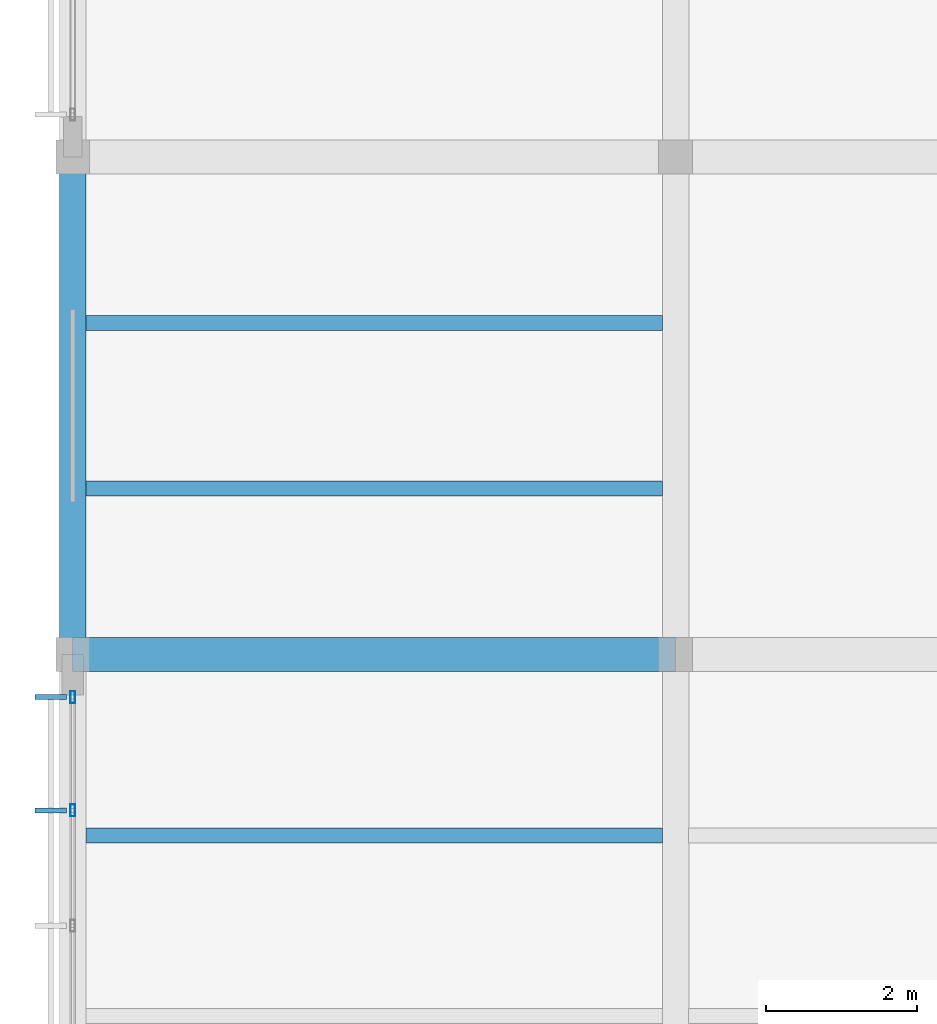
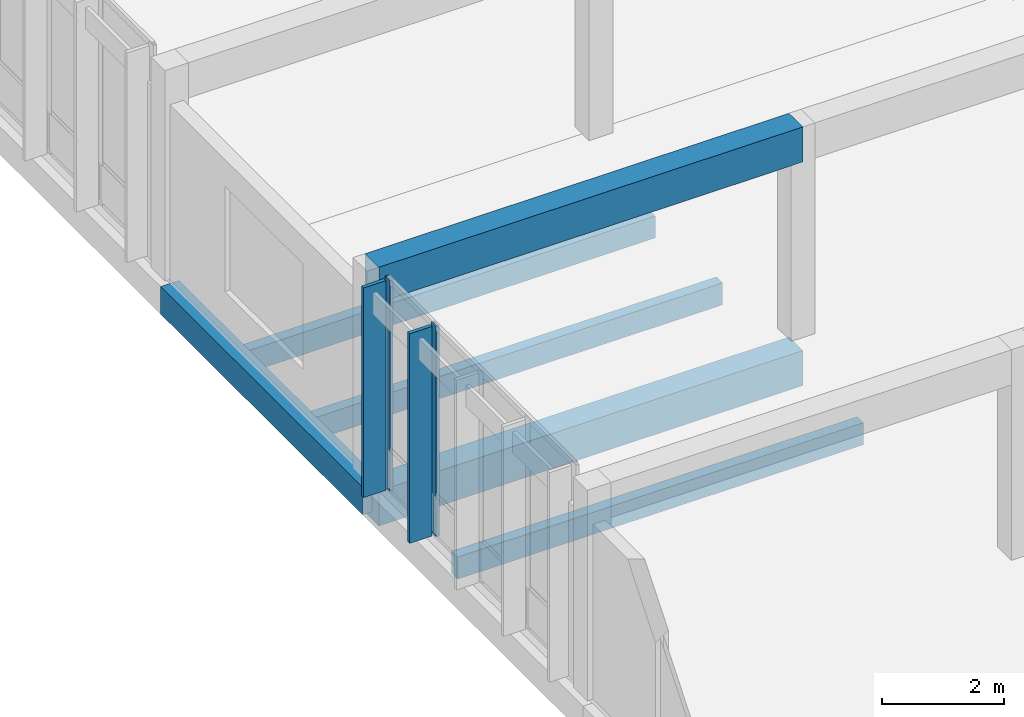
# One storey, part 9 of 107: 6 beams, 4 members, 1 element without a shape of its own.
"""IFC4 building model written with IfcOpenShell, lengths in metres."""

from ifc_helpers import new_model, si_unit, direction, frame, origin, origin_2d, place, context, subcontext, project, spatial, rectangle, hollow_rectangle, extrude, material, material_profile, profile_set, type_object, element, aggregate, save


model = new_model("IFC4")

# Units and contexts
model_context = context("Model", 3, precision=1e-05, world=origin(), true_north=direction((0.0, 1.0)))
body_context = subcontext(model_context, "Body", "Model", "MODEL_VIEW")
ifc_project = project(units=[si_unit("LENGTHUNIT", "METRE"), si_unit("AREAUNIT", "SQUARE_METRE"), si_unit("VOLUMEUNIT", "CUBIC_METRE"), si_unit("PLANEANGLEUNIT", "RADIAN"), si_unit("MASSUNIT", "GRAM", prefix="KILO")], contexts=[model_context])

# Site, building, storey
site_placement = place(None, origin())
site = spatial("IfcSite", under=ifc_project, at=site_placement, CompositionType="ELEMENT")
building_placement = place(site_placement, origin())
building = spatial("IfcBuilding", under=site, at=building_placement, Name="Chiffa Square Polytechnic", CompositionType="ELEMENT")
storey_placement = place(building_placement, frame((0.0, 0.0, 13.800048828125)))
storey = spatial("IfcBuildingStorey", under=building, at=storey_placement, Name="L03", CompositionType="ELEMENT", Elevation=13.800048828125)

# Beams
ifc_material_1 = material(Name="Concrete C35/45", Category="concrete")
ifc_material_profile_1 = material_profile(ifc_material_1, rectangle(XDim=0.35009765625, YDim=0.550048828125, at=origin_2d()), Name="RC 350x550")
ifc_profile_set_1 = profile_set([ifc_material_profile_1], Name="Concrete C35/45")
beam_type_1 = type_object("IfcBeamType", Name="BM-RC-350X550", PredefinedType="BEAM", material=ifc_profile_set_1)
beam_placement = place(storey_placement, frame((0.0, 51.0, -0.53515625), z_axis=(0.0, 1.0, 0.0), x_axis=(-1.0, 0.0, 0.0)))
element("IfcBeam", 1, at=beam_placement, inside=storey, type_object=beam_type_1, Name="Primary floor girder BM-V6-L03-Y-0000-0510", PredefinedType="BEAM", context=body_context, shape_type="SweptSolid", body=[
    extrude(rectangle(XDim=0.35009765625, YDim=0.550048828125, at=origin_2d()), origin(), (0.0, 0.0, 1.0), 6.60009765625),
])
ifc_material_profile_2 = material_profile(ifc_material_1, rectangle(XDim=0.449951171875, YDim=0.699951171875, at=origin_2d()), Name="RC 450x700")
ifc_profile_set_2 = profile_set([ifc_material_profile_2], Name="Concrete C35/45")
beam_type_2 = type_object("IfcBeamType", Name="BM-RC-450X700", PredefinedType="BEAM", material=ifc_profile_set_2)
for number, where, z_axis, x_axis, name in (
    (2, (0.0, 51.0, -0.610107421875), (1.0, 0.0, 0.0), (0.0, 1.0, 0.0), "Primary floor girder BM-V6-L03-X-0000-0510"),
    (3, (0.0, 51.0, 3.849853515625), (1.0, 0.0, 0.0), (0.0, 1.0, 0.0), "Sawtooth monitor sill beam BM-V6-SAWTIE-Y2-1"),
):
    element("IfcBeam", number, at=place(storey_placement, frame(where, z_axis=z_axis, x_axis=x_axis)), inside=storey, type_object=beam_type_2, Name=name, PredefinedType="BEAM", context=body_context, shape_type="SweptSolid", body=[
        extrude(rectangle(XDim=0.449951171875, YDim=0.699951171875, at=origin_2d()), origin(), (0.0, 0.0, 1.0), 8.0),
    ])

# Curtain wall, members
ifc_material_2 = material(Name="Aluminium EN AW-6060 T66 and glulam shading", Category="wood")
curtain_wall_type = type_object("IfcCurtainWallType", Name="CW-VERT-600X380", PredefinedType="USERDEFINED", material=ifc_material_2)
curtain_wall_placement = place(storey_placement, origin())
curtain_wall = element("IfcCurtainWall", 4, at=curtain_wall_placement, inside=storey, type_object=curtain_wall_type, Name="Curtain wall CW-V6-L03-276", ObjectType="CURTAIN WALL", PredefinedType="USERDEFINED")
ifc_material_3 = material(Name="Aluminium EN AW-6060 T66", Category="aluminium")
ifc_material_profile_3 = material_profile(ifc_material_3, hollow_rectangle(XDim=0.06005859375, YDim=0.159912109375, WallThickness=0.00390625, at=origin_2d()), Name="ALU 60x160x4")
ifc_profile_set_3 = profile_set([ifc_material_profile_3], Name="Aluminium EN AW-6060 T66")
member_type_1 = type_object("IfcMemberType", Name="CWM-ALU-65X150", PredefinedType="MULLION", material=ifc_profile_set_3)
member_1_placement = place(storey_placement, frame((0.0, 50.43505859375, 0.0), z_axis=(0.0, 0.0, 1.0), x_axis=(1.0, 0.0, 0.0)))
member_1 = element("IfcMember", 5, at=member_1_placement, type_object=member_type_1, Name="Curtain wall mullion CW-V6-L03-276-M00", PredefinedType="MULLION", context=body_context, shape_type="SweptSolid", body=[
    extrude(hollow_rectangle(XDim=0.06005859375, YDim=0.159912109375, WallThickness=0.00390625, at=origin_2d()), origin(), (0.0, 0.0, 1.0), 4.199951171875),
])
member_2_placement = place(storey_placement, frame((0.0, 48.929931640625, 0.0), z_axis=(0.0, 0.0, 1.0), x_axis=(1.0, 0.0, 0.0)))
member_2 = element("IfcMember", 6, at=member_2_placement, type_object=member_type_1, Name="Curtain wall mullion CW-V6-L03-276-M01", PredefinedType="MULLION", context=body_context, shape_type="SweptSolid", body=[
    extrude(hollow_rectangle(XDim=0.06005859375, YDim=0.159912109375, WallThickness=0.00390625, at=origin_2d()), origin(), (0.0, 0.0, 1.0), 4.199951171875),
])
ifc_material_4 = material(Name="Glulam GL28h", Category="wood")
ifc_material_profile_4 = material_profile(ifc_material_4, rectangle(XDim=0.070068359375, YDim=0.419921875, at=origin_2d()), Name="GL28h 70x420")
ifc_profile_set_4 = profile_set([ifc_material_profile_4], Name="Glulam GL28h")
member_type_2 = type_object("IfcMemberType", Name="CWM-GL-70X420", PredefinedType="MULLION", material=ifc_profile_set_4)
member_3_placement = place(storey_placement, frame((-0.2919921875, 50.43505859375, 0.010009765625), z_axis=(0.0, 0.0, 1.0), x_axis=(0.0, -1.0, 0.0)))
member_3 = element("IfcMember", 7, at=member_3_placement, type_object=member_type_2, Name="Exterior glulam solar fin CW-V6-L03-276-FN00", PredefinedType="MULLION", context=body_context, shape_type="SweptSolid", body=[
    extrude(rectangle(XDim=0.070068359375, YDim=0.419921875, at=origin_2d()), origin(), (0.0, 0.0, 1.0), 4.179931640625),
])
member_4_placement = place(storey_placement, frame((-0.2919921875, 48.929931640625, 0.010009765625), z_axis=(0.0, 0.0, 1.0), x_axis=(0.0, -1.0, 0.0)))
member_4 = element("IfcMember", 8, at=member_4_placement, type_object=member_type_2, Name="Exterior glulam solar fin CW-V6-L03-276-FN01", PredefinedType="MULLION", context=body_context, shape_type="SweptSolid", body=[
    extrude(rectangle(XDim=0.070068359375, YDim=0.419921875, at=origin_2d()), origin(), (0.0, 0.0, 1.0), 4.179931640625),
])
aggregate(curtain_wall, [member_1, member_3, member_2, member_4])

# Beams
ifc_material_profile_5 = material_profile(ifc_material_4, rectangle(XDim=0.199951171875, YDim=0.43994140625, at=origin_2d()), Name="GL28h 200x440")
ifc_profile_set_5 = profile_set([ifc_material_profile_5], Name="Glulam GL28h")
beam_type_3 = type_object("IfcBeamType", Name="JST-GL-200X440", PredefinedType="JOIST", material=ifc_profile_set_5)
for number, where, z_axis, x_axis, name in (
    (9, (0.173095703125, 48.60009765625, -0.47998046875), (1.0, 0.0, 0.0), (0.0, 1.0, 0.0), "Secondary floor joist JST-V6-L03-0000-0486"),
    (10, (0.173095703125, 53.199951171875, -0.47998046875), (1.0, 0.0, 0.0), (0.0, 1.0, 0.0), "Secondary floor joist JST-V6-L03-0000-0532"),
    (11, (0.173095703125, 55.39990234375, -0.47998046875), (1.0, 0.0, 0.0), (0.0, 1.0, 0.0), "Secondary floor joist JST-V6-L03-0000-0554"),
):
    element("IfcBeam", number, at=place(storey_placement, frame(where, z_axis=z_axis, x_axis=x_axis)), inside=storey, type_object=beam_type_3, Name=name, PredefinedType="JOIST", context=body_context, shape_type="SweptSolid", body=[
        extrude(rectangle(XDim=0.199951171875, YDim=0.43994140625, at=origin_2d()), origin(), (0.0, 0.0, 1.0), 7.65380859375),
    ])

save(model, "model.ifc")
